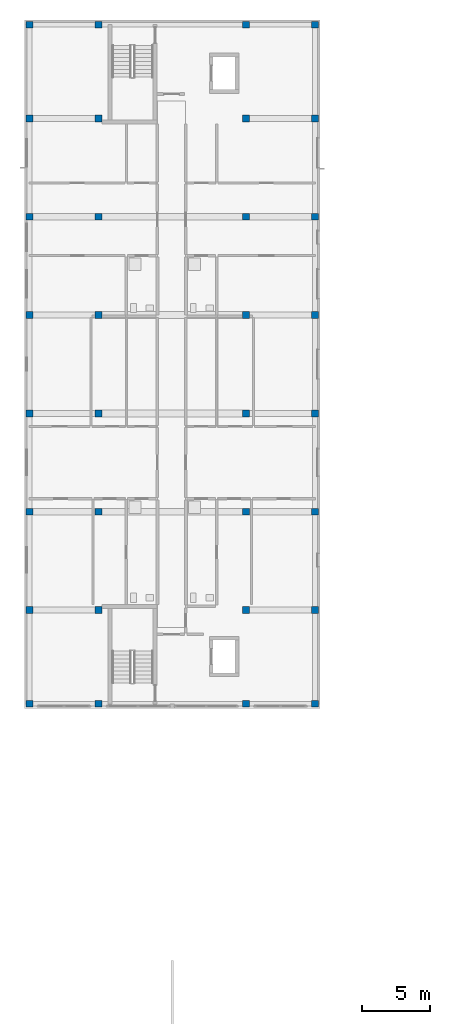
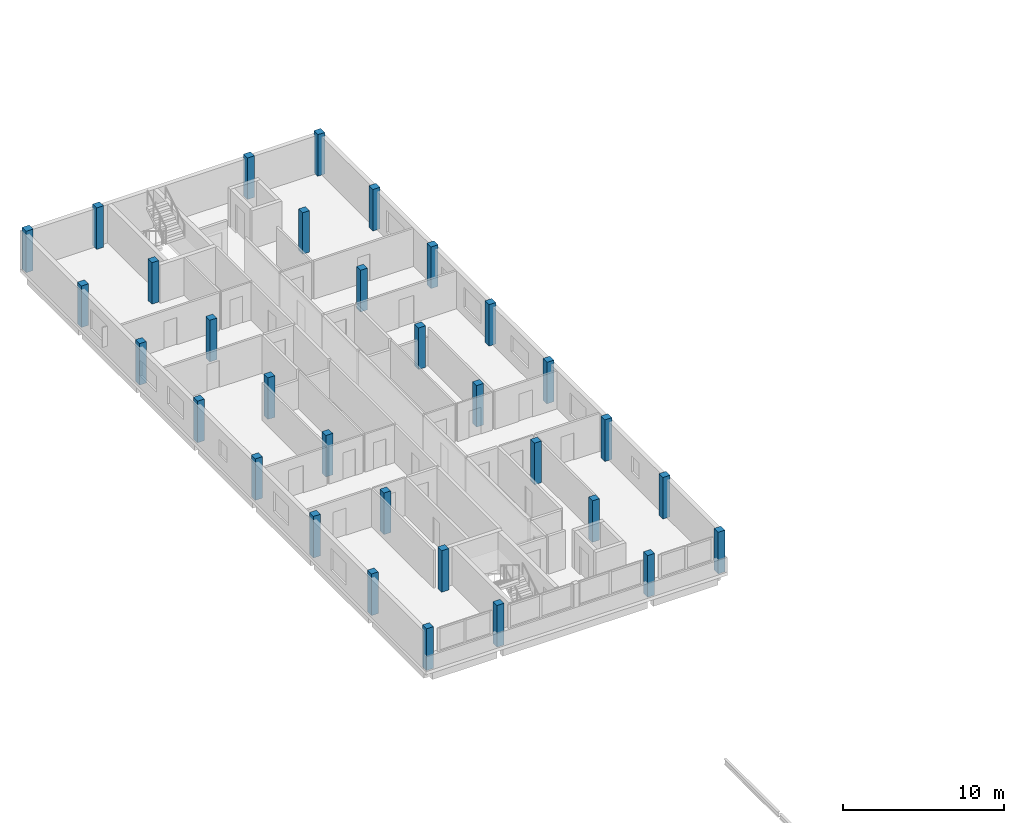
# One storey, part 1 of 28: 32 columns.
"""IFC4 building model written with IfcOpenShell, lengths in metres."""

from ifc_helpers import new_model, si_unit, derived_unit, direction, frame, origin, origin_2d, place, context, subcontext, project, spatial, rectangle, extrude, material, material_profile, profile_set, type_object, element, save


model = new_model("IFC4")

# Units and contexts
model_context = context("Model", 3, precision=1e-05, world=origin(), true_north=direction((0.0, 1.0)))
body_context = subcontext(model_context, "Body", "Model", "MODEL_VIEW")
ifc_project = project(units=[si_unit("LENGTHUNIT", "METRE"), si_unit("AREAUNIT", "SQUARE_METRE"), si_unit("VOLUMEUNIT", "CUBIC_METRE"), si_unit("PLANEANGLEUNIT", "RADIAN"), si_unit("MASSUNIT", "GRAM", prefix="KILO"), derived_unit("THERMALTRANSMITTANCEUNIT", [(si_unit("MASSUNIT", "GRAM", prefix="KILO"), 1), (si_unit("TIMEUNIT", "SECOND"), -3), (si_unit("THERMODYNAMICTEMPERATUREUNIT", "KELVIN"), -1)])], contexts=[model_context])

# Site, building, storey
site_placement = place(None, origin())
site = spatial("IfcSite", under=ifc_project, at=site_placement, CompositionType="ELEMENT")
building_placement = place(site_placement, origin())
building = spatial("IfcBuilding", under=site, at=building_placement, Name="Ochrekiln Boulevard Commons", CompositionType="ELEMENT")
storey_placement = place(building_placement, frame((0.0, 0.0, 34.125)))
storey = spatial("IfcBuildingStorey", under=building, at=storey_placement, Name="L10", CompositionType="ELEMENT", Elevation=34.125)

# Columns
ifc_material = material(Name="Concrete C35/45", Category="concrete")
ifc_material_profile = material_profile(ifc_material, rectangle(XDim=0.5, YDim=0.5, at=origin_2d()), Name="RC-COL-500x500")
ifc_profile_set = profile_set([ifc_material_profile], Name="Concrete C35/45")
column_type = type_object("IfcColumnType", Name="COL-RC-500", PredefinedType="COLUMN", material=ifc_profile_set)
for number, where, z_axis, x_axis, name in (
    (1, (0.35009765625, 68.75, 0.0), (0.0, 0.0, 1.0), (1.0, 0.0, 0.0), "Block A L10 Column C-500 (1)"),
    (2, (0.35009765625, 75.60009765625, 0.0), (0.0, 0.0, 1.0), (1.0, 0.0, 0.0), "Block A L10 Column C-500 (2)"),
    (3, (0.35009765625, 82.800048828125, 0.0), (0.0, 0.0, 1.0), (1.0, 0.0, 0.0), "Block A L10 Column C-500 (3)"),
    (4, (0.35009765625, 90.0, 0.0), (0.0, 0.0, 1.0), (1.0, 0.0, 0.0), "Block A L10 Column C-500 (4)"),
    (5, (0.35009765625, 97.199951171875, 0.0), (0.0, 0.0, 1.0), (1.0, 0.0, 0.0), "Block A L10 Column C-500 (5)"),
    (6, (0.35009765625, 104.39990234375, 0.0), (0.0, 0.0, 1.0), (1.0, 0.0, 0.0), "Block A L10 Column C-500 (6)"),
    (7, (0.35009765625, 111.60009765625, 0.0), (0.0, 0.0, 1.0), (1.0, 0.0, 0.0), "Block A L10 Column C-500 (7)"),
    (8, (0.35009765625, 118.449951171875, 0.0), (0.0, 0.0, 1.0), (1.0, 0.0, 0.0), "Block A L10 Column C-500 (8)"),
    (9, (5.39990234375, 68.75, 0.0), (0.0, 0.0, 1.0), (1.0, 0.0, 0.0), "Block A L10 Column C-500 (9)"),
    (10, (5.39990234375, 75.60009765625, 0.0), (0.0, 0.0, 1.0), (1.0, 0.0, 0.0), "Block A L10 Column C-500 (10)"),
    (11, (5.39990234375, 82.800048828125, 0.0), (0.0, 0.0, 1.0), (1.0, 0.0, 0.0), "Block A L10 Column C-500 (11)"),
    (12, (5.39990234375, 90.0, 0.0), (0.0, 0.0, 1.0), (1.0, 0.0, 0.0), "Block A L10 Column C-500 (12)"),
    (13, (5.39990234375, 97.199951171875, 0.0), (0.0, 0.0, 1.0), (1.0, 0.0, 0.0), "Block A L10 Column C-500 (13)"),
    (14, (5.39990234375, 104.39990234375, 0.0), (0.0, 0.0, 1.0), (1.0, 0.0, 0.0), "Block A L10 Column C-500 (14)"),
    (15, (5.39990234375, 111.60009765625, 0.0), (0.0, 0.0, 1.0), (1.0, 0.0, 0.0), "Block A L10 Column C-500 (15)"),
    (16, (5.39990234375, 118.449951171875, 0.0), (0.0, 0.0, 1.0), (1.0, 0.0, 0.0), "Block A L10 Column C-500 (16)"),
    (17, (16.199951171875, 68.75, 0.0), (0.0, 0.0, 1.0), (1.0, 0.0, 0.0), "Block A L10 Column C-500 (17)"),
    (18, (16.199951171875, 75.60009765625, 0.0), (0.0, 0.0, 1.0), (1.0, 0.0, 0.0), "Block A L10 Column C-500 (18)"),
    (19, (16.199951171875, 82.800048828125, 0.0), (0.0, 0.0, 1.0), (1.0, 0.0, 0.0), "Block A L10 Column C-500 (19)"),
    (20, (16.199951171875, 90.0, 0.0), (0.0, 0.0, 1.0), (1.0, 0.0, 0.0), "Block A L10 Column C-500 (20)"),
    (21, (16.199951171875, 97.199951171875, 0.0), (0.0, 0.0, 1.0), (1.0, 0.0, 0.0), "Block A L10 Column C-500 (21)"),
    (22, (16.199951171875, 104.39990234375, 0.0), (0.0, 0.0, 1.0), (1.0, 0.0, 0.0), "Block A L10 Column C-500 (22)"),
    (23, (16.199951171875, 111.60009765625, 0.0), (0.0, 0.0, 1.0), (1.0, 0.0, 0.0), "Block A L10 Column C-500 (23)"),
    (24, (16.199951171875, 118.449951171875, 0.0), (0.0, 0.0, 1.0), (1.0, 0.0, 0.0), "Block A L10 Column C-500 (24)"),
    (25, (21.25, 68.75, 0.0), (0.0, 0.0, 1.0), (1.0, 0.0, 0.0), "Block A L10 Column C-500 (25)"),
    (26, (21.25, 75.60009765625, 0.0), (0.0, 0.0, 1.0), (1.0, 0.0, 0.0), "Block A L10 Column C-500 (26)"),
    (27, (21.25, 82.800048828125, 0.0), (0.0, 0.0, 1.0), (1.0, 0.0, 0.0), "Block A L10 Column C-500 (27)"),
    (28, (21.25, 90.0, 0.0), (0.0, 0.0, 1.0), (1.0, 0.0, 0.0), "Block A L10 Column C-500 (28)"),
    (29, (21.25, 97.199951171875, 0.0), (0.0, 0.0, 1.0), (1.0, 0.0, 0.0), "Block A L10 Column C-500 (29)"),
    (30, (21.25, 104.39990234375, 0.0), (0.0, 0.0, 1.0), (1.0, 0.0, 0.0), "Block A L10 Column C-500 (30)"),
    (31, (21.25, 111.60009765625, 0.0), (0.0, 0.0, 1.0), (1.0, 0.0, 0.0), "Block A L10 Column C-500 (31)"),
    (32, (21.25, 118.449951171875, 0.0), (0.0, 0.0, 1.0), (1.0, 0.0, 0.0), "Block A L10 Column C-500 (32)"),
):
    element("IfcColumn", number, at=place(storey_placement, frame(where, z_axis=z_axis, x_axis=x_axis)), inside=storey, type_object=column_type, Name=name, PredefinedType="COLUMN", context=body_context, shape_type="SweptSolid", body=[
        extrude(rectangle(XDim=0.5, YDim=0.5, at=origin_2d()), origin(), (0.0, 0.0, 1.0), 3.14990234375),
    ])

save(model, "model.ifc")
